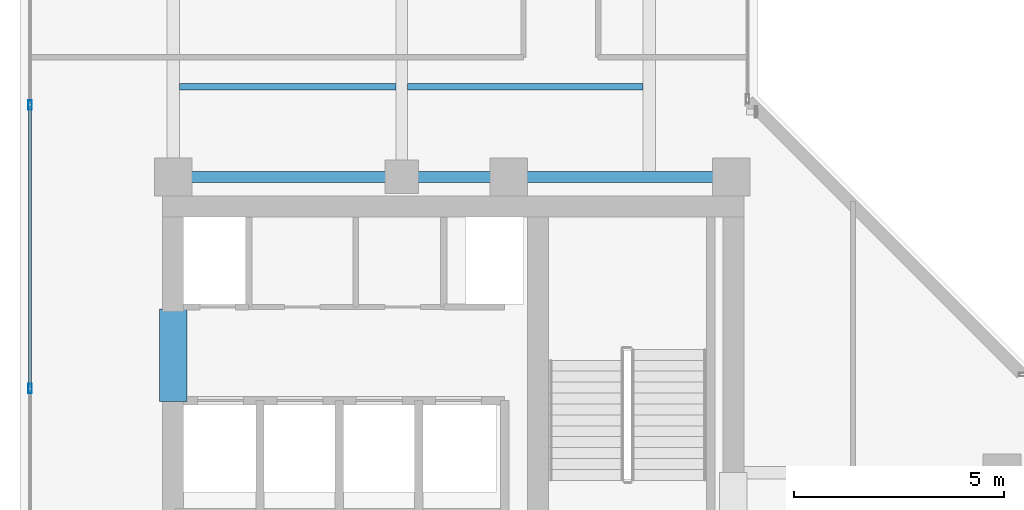
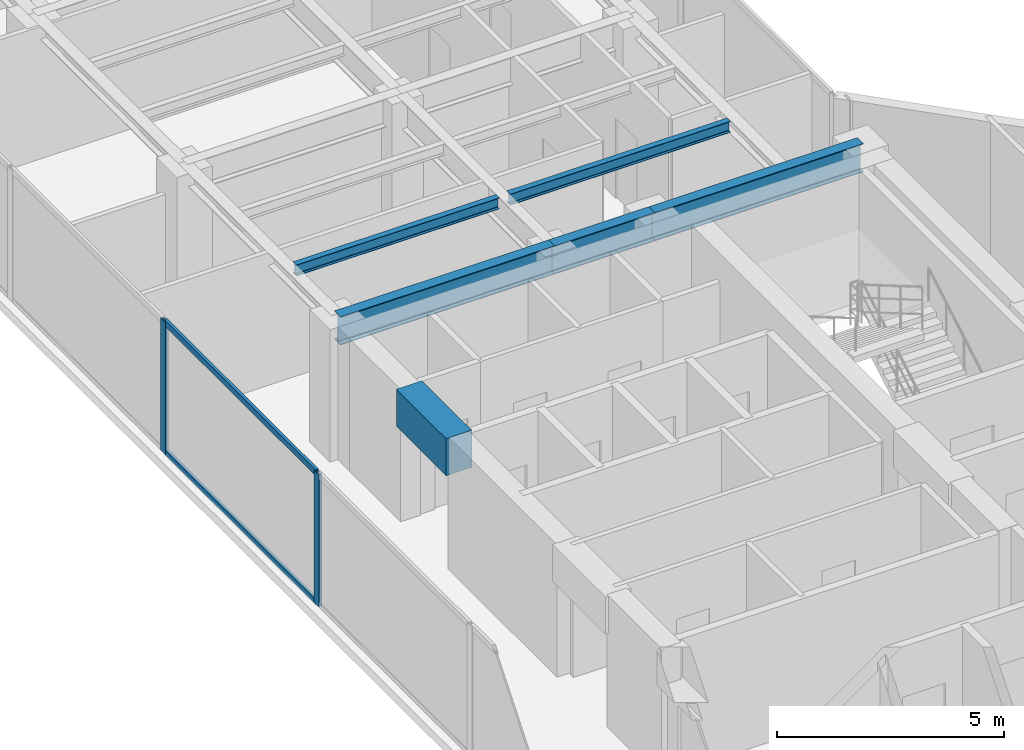
# One storey, part 7 of 23: 6 beams, 4 members, 1 element without a shape of its own.
"""IFC4 building model written with IfcOpenShell, lengths in metres."""

import ifcopenshell
import ifcopenshell.guid

model = None  # the IFC model being written
_history = None  # IfcOwnerHistory: only IFC2X3 demands one
_inside = {}  # id of a spatial element -> (the spatial element, [elements in it])
_under = {}  # id of a project, library or spatial element -> (it, [spatial elements below it])
_declared = {}  # id of a project -> (the project, [libraries it declares])
_typed = {}  # id of a type object -> (the type object, [elements of that type])
_made_of = {}  # id of a material, layer set ... -> (it, [elements and type objects made of it])


def new_model(schema):
    """Start an empty IFC model of exactly this schema.

    Asked for "IFC4X3", IfcOpenShell would pick the latest addendum, in which some entities
    have other attributes; the version numbers below select the first issue.
    IFC2X3 requires an IfcOwnerHistory on every rooted entity: one is made here for all.
    """
    global model, _history
    if schema == "IFC4X3":
        model = ifcopenshell.file(schema_version=(4, 3, 0, 0))
    else:
        model = ifcopenshell.file(schema=schema)
    _inside.clear()
    _under.clear()
    _declared.clear()
    _typed.clear()
    _made_of.clear()
    _history = None
    if model.schema == "IFC2X3":
        org = make("IfcOrganization", Name="unknown")
        user = make(
            "IfcPersonAndOrganization",
            ThePerson=make("IfcPerson", FamilyName="unknown"),
            TheOrganization=org,
        )
        app = make(
            "IfcApplication",
            ApplicationDeveloper=org,
            Version="unknown",
            ApplicationFullName="unknown",
            ApplicationIdentifier="unknown",
        )
        _history = make(
            "IfcOwnerHistory",
            OwningUser=user,
            OwningApplication=app,
            ChangeAction="ADDED",
            CreationDate=0,
        )
    return model


def make(cls, **values):
    """One entity of the class cls with the attributes given. An attribute that is None is left unset."""
    return model.create_entity(
        cls, **{name: value for name, value in values.items() if value is not None}
    )


def rooted(cls, **values):
    """An entity with a GlobalId (a new one), such as an element, a storey or a relation."""
    return make(cls, GlobalId=ifcopenshell.guid.new(), OwnerHistory=_history, **values)


def si_unit(unit_type, name, prefix=None):
    """IfcSIUnit, for example si_unit("LENGTHUNIT", "METRE", prefix="MILLI")."""
    return make("IfcSIUnit", UnitType=unit_type, Prefix=prefix, Name=name)


def assignment(units):
    """IfcUnitAssignment: the units of a project."""
    return None if units is None else make("IfcUnitAssignment", Units=units)


def point(xyz):
    """IfcCartesianPoint."""
    return None if xyz is None else make("IfcCartesianPoint", Coordinates=xyz)


def direction(xyz):
    """IfcDirection."""
    return None if xyz is None else make("IfcDirection", DirectionRatios=xyz)


def frame(location, z_axis=None, x_axis=None):
    """IfcAxis2Placement3D, a coordinate frame: its origin and axes. An axis left out is left unset."""
    return make(
        "IfcAxis2Placement3D",
        Location=point(location),
        Axis=direction(z_axis),
        RefDirection=direction(x_axis),
    )


def frame_2d(location, x_axis=None):
    """IfcAxis2Placement2D, a coordinate frame in the plane: its origin and x axis."""
    return make(
        "IfcAxis2Placement2D", Location=point(location), RefDirection=direction(x_axis)
    )


def origin():
    """The frame at (0, 0, 0) with its axes left unset."""
    return frame((0.0, 0.0, 0.0))


def origin_with_axes():
    """The frame at (0, 0, 0) with the z axis (0, 0, 1) and the x axis (1, 0, 0) written out."""
    return frame((0.0, 0.0, 0.0), z_axis=(0.0, 0.0, 1.0), x_axis=(1.0, 0.0, 0.0))


def origin_2d():
    """The frame at (0, 0) in the plane with its x axis left unset."""
    return frame_2d((0.0, 0.0))


def place(relative_to, where):
    """IfcLocalPlacement: puts the frame where relative to a parent placement (None: the world)."""
    return make(
        "IfcLocalPlacement", PlacementRelTo=relative_to, RelativePlacement=where
    )


def context(
    kind, dimensions, precision=None, world=None, true_north=None, identifier=None
):
    """IfcGeometricRepresentationContext, for example the 3D "Model" context."""
    return make(
        "IfcGeometricRepresentationContext",
        ContextIdentifier=identifier,
        ContextType=kind,
        CoordinateSpaceDimension=dimensions,
        Precision=precision,
        WorldCoordinateSystem=world,
        TrueNorth=true_north,
    )


def subcontext(parent, identifier, kind, view, scale=None):
    """IfcGeometricRepresentationSubContext, for example "Body" below "Model"."""
    return make(
        "IfcGeometricRepresentationSubContext",
        ContextIdentifier=identifier,
        ContextType=kind,
        ParentContext=parent,
        TargetScale=scale,
        TargetView=view,
    )


def project(units=None, contexts=None):
    """IfcProject with its units and contexts."""
    return rooted(
        "IfcProject",
        Name="project",
        RepresentationContexts=contexts,
        UnitsInContext=assignment(units),
    )


def spatial(cls, under=None, at=None, **own):
    """A site, building, storey or space (cls), placed at a placement, below another one or the project."""
    s = rooted(cls, ObjectPlacement=at, **own)
    if under is not None:
        _under.setdefault(under.id(), (under, []))[1].append(s)
    return s


def profile(cls, at=None, kind="AREA", **sizes):
    """A parametric profile (cls). Its sizes go by their IFC names, for example OverallWidth=200.0."""
    return make(cls, ProfileType=kind, Position=at, **sizes)


def rectangle(**sizes):
    """IfcRectangleProfileDef."""
    return profile("IfcRectangleProfileDef", **sizes)


def hollow_rectangle(**sizes):
    """IfcRectangleHollowProfileDef."""
    return profile("IfcRectangleHollowProfileDef", **sizes)


def i_section(**sizes):
    """IfcIShapeProfileDef."""
    return profile("IfcIShapeProfileDef", **sizes)


def extrude(swept, where, along, depth):
    """IfcExtrudedAreaSolid: the profile swept, set in the frame where, extruded along a direction by depth."""
    return make(
        "IfcExtrudedAreaSolid",
        SweptArea=swept,
        Position=where,
        ExtrudedDirection=direction(along),
        Depth=depth,
    )


def shape(context_of_items, identifier, shape_type, items):
    """IfcShapeRepresentation: the items that make up one representation, for example the "Body"."""
    return make(
        "IfcShapeRepresentation",
        ContextOfItems=context_of_items,
        RepresentationIdentifier=identifier,
        RepresentationType=shape_type,
        Items=items,
    )


def source(mapping_origin, context_of_items, identifier, shape_type, items):
    """IfcRepresentationMap: a shape defined once, which mapped items show again and again."""
    return make(
        "IfcRepresentationMap",
        MappingOrigin=mapping_origin,
        MappedRepresentation=shape(context_of_items, identifier, shape_type, items),
    )


def transform(
    local_origin,
    x_axis=None,
    y_axis=None,
    z_axis=None,
    scale=None,
    scale2=None,
    scale3=None,
    uniform=True,
):
    """IfcCartesianTransformationOperator3D, or its non-uniform kind. x_axis, y_axis, z_axis: its Axis1, 2, 3."""
    if uniform:
        return make(
            "IfcCartesianTransformationOperator3D",
            Axis1=direction(x_axis),
            Axis2=direction(y_axis),
            LocalOrigin=point(local_origin),
            Scale=scale,
            Axis3=direction(z_axis),
        )
    return make(
        "IfcCartesianTransformationOperator3DnonUniform",
        Axis1=direction(x_axis),
        Axis2=direction(y_axis),
        LocalOrigin=point(local_origin),
        Scale=scale,
        Axis3=direction(z_axis),
        Scale2=scale2,
        Scale3=scale3,
    )


def mapped(mapping_source, mapping_target):
    """IfcMappedItem: shows the shape of a source again, moved by a transform."""
    return make(
        "IfcMappedItem", MappingSource=mapping_source, MappingTarget=mapping_target
    )


def material(Name=None, Category=None):
    """IfcMaterial."""
    return make("IfcMaterial", Name=Name, Category=Category)


def layer(
    of_material, thickness, ventilated=None, Name=None, Category=None, Priority=None
):
    """IfcMaterialLayer: one layer of a wall or slab, of a material (None: an air gap)."""
    return make(
        "IfcMaterialLayer",
        Material=of_material,
        LayerThickness=thickness,
        IsVentilated=ventilated,
        Name=Name,
        Category=Category,
        Priority=Priority,
    )


def layer_set(layers, Name=None):
    """IfcMaterialLayerSet."""
    return make("IfcMaterialLayerSet", MaterialLayers=layers, LayerSetName=Name)


def material_profile(
    of_material, cross_section, Name=None, Category=None, Priority=None
):
    """IfcMaterialProfile: a cross section and its material."""
    return make(
        "IfcMaterialProfile",
        Name=Name,
        Material=of_material,
        Profile=cross_section,
        Priority=Priority,
        Category=Category,
    )


def profile_set(profiles, Name=None, composite=None):
    """IfcMaterialProfileSet."""
    return make(
        "IfcMaterialProfileSet",
        Name=Name,
        MaterialProfiles=profiles,
        CompositeProfile=composite,
    )


def made_of(thing, what):
    """Note that an element or type object is made of a material, layer set ...; save() writes the relation."""
    if what is not None:
        _made_of.setdefault(what.id(), (what, []))[1].append(thing)
    return thing


def type_object(cls, material=None, **own):
    """A type object (cls), such as IfcWallType, which elements share."""
    return made_of(rooted(cls, **own), material)


def element(
    cls,
    number,
    at=None,
    inside=None,
    cuts=None,
    type_object=None,
    material=None,
    context=None,
    identifier="Body",
    shape_type=None,
    held_by="IfcProductDefinitionShape",
    body=None,
    shapes=None,
    **own,
):
    """One element of the class cls, such as IfcWall. Its Tag is "e" and its number.

    at: its placement. inside: the storey or other place that contains it. cuts: it is an
    opening in that element (IfcRelVoidsElement). A single representation is given by context,
    identifier, shape_type and body (its items); several are given by shapes. held_by: the class
    of the entity that holds the representations. save() writes the other relations.
    """
    e = rooted(cls, Tag="e%d" % number, ObjectPlacement=at, **own)
    if body is not None:
        shapes = [shape(context, identifier, shape_type, body)]
    if shapes is not None:
        e.Representation = make(held_by, Representations=shapes)
    if inside is not None:
        _inside.setdefault(inside.id(), (inside, []))[1].append(e)
    if cuts is not None:
        rooted(
            "IfcRelVoidsElement", RelatingBuildingElement=cuts, RelatedOpeningElement=e
        )
    if type_object is not None:
        _typed.setdefault(type_object.id(), (type_object, []))[1].append(e)
    return made_of(e, material)


def aggregate(whole, parts):
    """IfcRelAggregates: a whole, such as a stair, and the parts it consists of."""
    return rooted("IfcRelAggregates", RelatingObject=whole, RelatedObjects=parts)


def save(model, path):
    """Write the relations noted so far, then the file.

    IfcRelAggregates (storeys below a building ...), IfcRelContainedInSpatialStructure (elements
    in a storey), IfcRelDefinesByType, IfcRelAssociatesMaterial and IfcRelDeclares: one each for
    every whole, place, type object, material and project.
    """
    for whole, parts in _under.values():
        aggregate(whole, parts)
    for where, things in _inside.values():
        rooted(
            "IfcRelContainedInSpatialStructure",
            RelatedElements=things,
            RelatingStructure=where,
        )
    for kind, things in _typed.values():
        rooted("IfcRelDefinesByType", RelatedObjects=things, RelatingType=kind)
    for what, things in _made_of.values():
        rooted("IfcRelAssociatesMaterial", RelatedObjects=things, RelatingMaterial=what)
    for by, libraries in _declared.values():
        rooted("IfcRelDeclares", RelatingContext=by, RelatedDefinitions=libraries)
    model.write(path)


model = new_model("IFC4")

# Units and contexts
model_context = context("Model", 3, precision=1e-05, world=origin(), true_north=direction((0.0, 1.0)))
body_context = subcontext(model_context, "Body", "Model", "MODEL_VIEW")
ifc_project = project(units=[si_unit("LENGTHUNIT", "METRE"), si_unit("AREAUNIT", "SQUARE_METRE"), si_unit("VOLUMEUNIT", "CUBIC_METRE"), si_unit("PLANEANGLEUNIT", "RADIAN"), si_unit("MASSUNIT", "GRAM", prefix="KILO")], contexts=[model_context])

# Site, building, storey
site_placement = place(None, origin())
site = spatial("IfcSite", under=ifc_project, at=site_placement, CompositionType="ELEMENT")
building_placement = place(site_placement, origin())
building = spatial("IfcBuilding", under=site, at=building_placement, Name="Kolvaren Waterfront Exchange", CompositionType="ELEMENT")
storey_placement = place(building_placement, frame((0.0, 0.0, 270.39990234375)))
storey = spatial("IfcBuildingStorey", under=building, at=storey_placement, Name="L69", CompositionType="ELEMENT", Elevation=270.39990234375)

# Beams
ifc_material_1 = material(Name="Steel S355", Category="steel")
ifc_material_profile_1 = material_profile(ifc_material_1, i_section(OverallWidth=0.14990234375, OverallDepth=0.300048828125, WebThickness=0.007080078125, FlangeThickness=0.0107421875, FilletRadius=0.014892578125, at=origin_2d()), Name="IPE300")
ifc_profile_set_1 = profile_set([ifc_material_profile_1], Name="Steel S355")
beam_type_1 = type_object("IfcBeamType", Name="STR-BM-IPE300", PredefinedType="JOIST", material=ifc_profile_set_1)
beam_1_placement = place(storey_placement, frame((7.60205078125, 26.60009765625, 3.41015625), z_axis=(1.0, 0.0, 0.0), x_axis=(0.0, 1.0, 0.0)))
element("IfcBeam", 1, at=beam_1_placement, inside=storey, type_object=beam_type_1, Name="L69 north-arm composite joist 1A", PredefinedType="JOIST", context=body_context, shape_type="SweptSolid", body=[
    extrude(i_section(OverallWidth=0.14990234375, OverallDepth=0.300048828125, WebThickness=0.007080078125, FlangeThickness=0.0107421875, FilletRadius=0.014892578125, at=origin_2d()), origin(), (0.0, 0.0, 1.0), 5.162353515625),
])
beam_2_placement = place(storey_placement, frame((13.035400390625, 26.60009765625, 3.41015625), z_axis=(1.0, 0.0, 0.0), x_axis=(0.0, 1.0, 0.0)))
element("IfcBeam", 2, at=beam_2_placement, inside=storey, type_object=beam_type_1, Name="L69 north-arm composite joist 1B", PredefinedType="JOIST", context=body_context, shape_type="SweptSolid", body=[
    extrude(i_section(OverallWidth=0.14990234375, OverallDepth=0.300048828125, WebThickness=0.007080078125, FlangeThickness=0.0107421875, FilletRadius=0.014892578125, at=origin_2d()), origin(), (0.0, 0.0, 1.0), 5.612548828125),
])
ifc_material_profile_2 = material_profile(ifc_material_1, i_section(OverallWidth=0.26708984375, OverallDepth=0.761962890625, WebThickness=0.014404296875, FlangeThickness=0.021484375, FilletRadius=0.01708984375, at=origin_2d()), Name="IPE750x173")
ifc_profile_set_2 = profile_set([ifc_material_profile_2], Name="Steel S355")
beam_type_2 = type_object("IfcBeamType", Name="STR-BM-IPE750", PredefinedType="BEAM", material=ifc_profile_set_2)
beam_3_placement = place(storey_placement, frame((7.449951171875, 24.449951171875, 3.17919921875), z_axis=(1.0, 0.0, 0.0), x_axis=(0.0, 1.0, 0.0)))
element("IfcBeam", 3, at=beam_3_placement, inside=storey, type_object=beam_type_2, Name="L69 north-arm girder 1A", PredefinedType="BEAM", context=body_context, shape_type="SweptSolid", body=[
    extrude(i_section(OverallWidth=0.26708984375, OverallDepth=0.761962890625, WebThickness=0.014404296875, FlangeThickness=0.021484375, FilletRadius=0.01708984375, at=origin_2d()), origin(), (0.0, 0.0, 1.0), 5.449951171875),
])
beam_4_placement = place(storey_placement, frame((12.89990234375, 24.449951171875, 3.17919921875), z_axis=(1.0, 0.0, 0.0), x_axis=(0.0, 1.0, 0.0)))
element("IfcBeam", 4, at=beam_4_placement, inside=storey, type_object=beam_type_2, Name="L69 north-arm girder 1B", PredefinedType="BEAM", context=body_context, shape_type="SweptSolid", body=[
    extrude(i_section(OverallWidth=0.26708984375, OverallDepth=0.761962890625, WebThickness=0.014404296875, FlangeThickness=0.021484375, FilletRadius=0.01708984375, at=origin_2d()), origin(), (0.0, 0.0, 1.0), 2.550048828125),
])
beam_5_placement = place(storey_placement, frame((15.449951171875, 24.449951171875, 3.17919921875), z_axis=(1.0, 0.0, 0.0), x_axis=(0.0, 1.0, 0.0)))
element("IfcBeam", 5, at=beam_5_placement, inside=storey, type_object=beam_type_2, Name="L69 north-arm girder 1C", PredefinedType="BEAM", context=body_context, shape_type="SweptSolid", body=[
    extrude(i_section(OverallWidth=0.26708984375, OverallDepth=0.761962890625, WebThickness=0.014404296875, FlangeThickness=0.021484375, FilletRadius=0.01708984375, at=origin_2d()), origin(), (0.0, 0.0, 1.0), 5.300048828125),
])
ifc_material_2 = material(Name="Concrete C60/75", Category="concrete")
ifc_material_profile_3 = material_profile(ifc_material_2, rectangle(XDim=0.64990234375, YDim=1.0, at=origin_2d()), Name="RC-CB-1000x650")
ifc_profile_set_3 = profile_set([ifc_material_profile_3], Name="Concrete C60/75")
beam_type_3 = type_object("IfcBeamType", Name="STR-CB-1000", PredefinedType="SPANDREL", material=ifc_profile_set_3)
beam_6_placement = place(storey_placement, frame((7.449951171875, 19.10009765625, 3.06005859375), z_axis=(0.0, 1.0, 0.0), x_axis=(-1.0, 0.0, 0.0)))
element("IfcBeam", 6, at=beam_6_placement, inside=storey, type_object=beam_type_3, Name="L69 core coupling beam 5", PredefinedType="SPANDREL", context=body_context, shape_type="SweptSolid", body=[
    extrude(rectangle(XDim=0.64990234375, YDim=1.0, at=origin_2d()), origin(), (0.0, 0.0, 1.0), 2.199951171875),
])

# Curtain wall, members
ifc_material_3 = material(Name="Anodised aluminium 6063-T6", Category="aluminium")
ifc_layer = layer(ifc_material_3, 0.219970703125, Name="Anodised aluminium 6063-T6")
ifc_layer_set = layer_set([ifc_layer], Name="Anodised aluminium 6063-T6")
curtain_wall_type = type_object("IfcCurtainWallType", Name="ARC-CW-SYS2", PredefinedType="USERDEFINED", material=ifc_layer_set)
curtain_wall_placement = place(storey_placement, origin())
curtain_wall = element("IfcCurtainWall", 7, at=curtain_wall_placement, inside=storey, type_object=curtain_wall_type, Name="L69 stick curtain wall CW2 (CW-L69-W)", ObjectType="STICK CURTAIN WALL", PredefinedType="USERDEFINED")
ifc_material_profile_4 = material_profile(ifc_material_3, hollow_rectangle(XDim=0.080078125, YDim=0.219970703125, WallThickness=0.0048828125, at=origin_2d()), Name="ALU-MUL-220x80x5")
ifc_profile_set_4 = profile_set([ifc_material_profile_4], Name="Anodised aluminium 6063-T6")
member_type_1 = type_object("IfcMemberType", Name="ARC-CWM-220", PredefinedType="MULLION", material=ifc_profile_set_4)
shared_shape_1 = source(origin_with_axes(), body_context, "Body", "SweptSolid", [
    extrude(hollow_rectangle(XDim=0.080078125, YDim=0.219970703125, WallThickness=0.0048828125, at=origin_2d()), origin(), (0.0, 0.0, 1.0), 3.56005859375),
])
member_1_placement = place(storey_placement, frame((4.0400390625, 19.40869140625, 0.0), z_axis=(0.0, 0.0, 1.0), x_axis=(-1.0, 0.0, 0.0)))
member_1 = element("IfcMember", 8, at=member_1_placement, type_object=member_type_1, Name="CW2 mullion 3", PredefinedType="MULLION", context=body_context, shape_type="MappedRepresentation", body=[
    mapped(shared_shape_1, transform((0.0, 0.0, 0.0), x_axis=(1.0, 0.0, 0.0), y_axis=(0.0, 1.0, 0.0), z_axis=(0.0, 0.0, 1.0), scale=1.0)),
])
member_2_placement = place(storey_placement, frame((4.0400390625, 26.1630859375, 0.0), z_axis=(0.0, 0.0, 1.0), x_axis=(-1.0, 0.0, 0.0)))
member_2 = element("IfcMember", 9, at=member_2_placement, type_object=member_type_1, Name="CW2 mullion 4", PredefinedType="MULLION", context=body_context, shape_type="MappedRepresentation", body=[
    mapped(shared_shape_1, transform((0.0, 0.0, 0.0), x_axis=(1.0, 0.0, 0.0), y_axis=(0.0, 1.0, 0.0), z_axis=(0.0, 0.0, 1.0), scale=1.0)),
])
ifc_material_profile_5 = material_profile(ifc_material_3, hollow_rectangle(XDim=0.074951171875, YDim=0.159912109375, WallThickness=0.00439453125, at=origin_2d()), Name="ALU-TRN-160x75x4.5")
ifc_profile_set_5 = profile_set([ifc_material_profile_5], Name="Anodised aluminium 6063-T6")
member_type_2 = type_object("IfcMemberType", Name="ARC-CWT-160", PredefinedType="USERDEFINED", material=ifc_profile_set_5)
shared_shape_2 = source(origin_with_axes(), body_context, "Body", "SweptSolid", [
    extrude(hollow_rectangle(XDim=0.074951171875, YDim=0.159912109375, WallThickness=0.00439453125, at=origin_2d()), origin(), (0.0, 0.0, 1.0), 6.67431640625),
])
member_3_placement = place(storey_placement, frame((4.0400390625, 19.44873046875, 0.03759765625), z_axis=(0.0, 1.0, 0.0), x_axis=(-1.0, 0.0, 0.0)))
member_3 = element("IfcMember", 10, at=member_3_placement, type_object=member_type_2, Name="CW2 transom 3.1", ObjectType="TRANSOM", PredefinedType="USERDEFINED", context=body_context, shape_type="MappedRepresentation", body=[
    mapped(shared_shape_2, transform((0.0, 0.0, 0.0), x_axis=(1.0, 0.0, 0.0), y_axis=(0.0, 1.0, 0.0), z_axis=(0.0, 0.0, 1.0), scale=1.0)),
])
member_4_placement = place(storey_placement, frame((4.0400390625, 19.44873046875, 3.522705078125), z_axis=(0.0, 1.0, 0.0), x_axis=(-1.0, 0.0, 0.0)))
member_4 = element("IfcMember", 11, at=member_4_placement, type_object=member_type_2, Name="CW2 transom 3.2", ObjectType="TRANSOM", PredefinedType="USERDEFINED", context=body_context, shape_type="MappedRepresentation", body=[
    mapped(shared_shape_2, transform((0.0, 0.0, 0.0), x_axis=(1.0, 0.0, 0.0), y_axis=(0.0, 1.0, 0.0), z_axis=(0.0, 0.0, 1.0), scale=1.0)),
])
aggregate(curtain_wall, [member_1, member_2, member_3, member_4])

save(model, "model.ifc")
